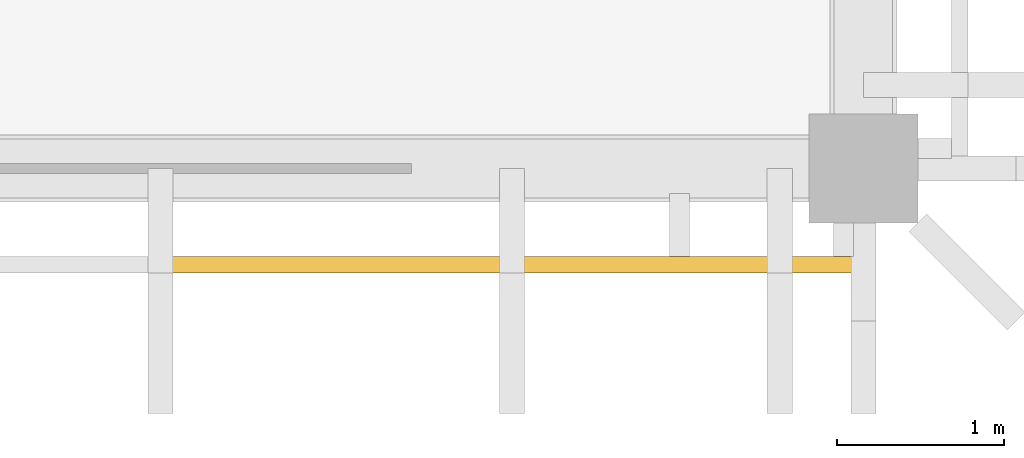
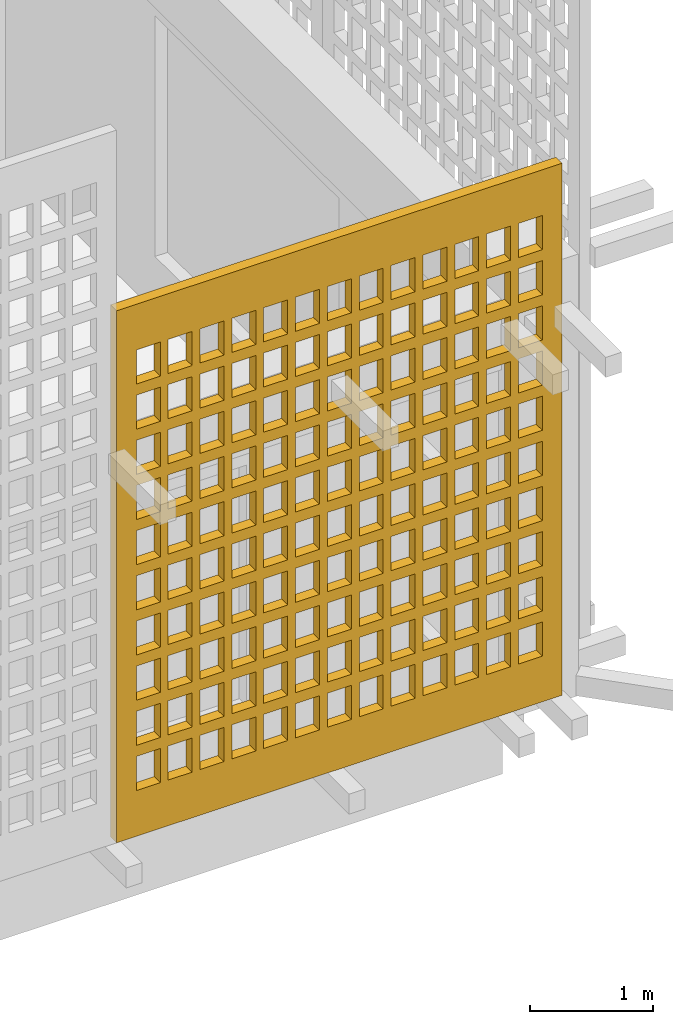
# One storey, part 12 of 23: 1 shading device, 1 opening.
"""IFC4 building model written with IfcOpenShell, lengths in metres."""

from ifc_helpers import new_model, si_unit, direction, frame, origin, origin_2d, place, context, subcontext, project, spatial, rectangle, extrude, material, layer, layer_set, type_object, element, save


model = new_model("IFC4")

# Units and contexts
model_context = context("Model", 3, precision=1e-05, world=origin(), true_north=direction((0.0, 1.0)))
body_context = subcontext(model_context, "Body", "Model", "MODEL_VIEW")
ifc_project = project(units=[si_unit("LENGTHUNIT", "METRE"), si_unit("AREAUNIT", "SQUARE_METRE"), si_unit("VOLUMEUNIT", "CUBIC_METRE"), si_unit("PLANEANGLEUNIT", "RADIAN"), si_unit("MASSUNIT", "GRAM", prefix="KILO")], contexts=[model_context])

# Site, building, storey
site_placement = place(None, origin())
site = spatial("IfcSite", under=ifc_project, at=site_placement, CompositionType="ELEMENT")
building_placement = place(site_placement, origin())
building = spatial("IfcBuilding", under=site, at=building_placement, Name="Rulbaag Community and Learning Centre", CompositionType="ELEMENT")
storey_placement = place(building_placement, frame((0.0, 0.0, 64.800048828125)))
storey = spatial("IfcBuildingStorey", under=building, at=storey_placement, Name="L17", CompositionType="ELEMENT", Elevation=64.800048828125)

# Shading device, opening
ifc_material = material(Name="Concrete M40", Category="concrete")
ifc_layer = layer(ifc_material, 0.10009765625)
ifc_layer_set = layer_set([ifc_layer], Name="JC-4")
shading_device_type = type_object("IfcShadingDeviceType", Name="JC-4", PredefinedType="SHUTTER", material=ifc_layer_set)
shading_device_placement = place(storey_placement, frame((165.89990234375, 83.425048828125, 0.0), z_axis=(0.0, 0.0, 1.0), x_axis=(1.0, 0.0, 0.0)))
shading_device = element("IfcShadingDevice", 1, at=shading_device_placement, inside=storey, type_object=shading_device_type, Name="Jaali lantern screen", PredefinedType="SHUTTER", context=body_context, shape_type="SweptSolid", body=[
    extrude(rectangle(XDim=4.199951171875, YDim=0.10009765625, at=origin_2d()), origin(), (0.0, 0.0, 1.0), 5.300048828125),
])
opening_placement = place(shading_device_placement, origin())
element("IfcOpeningElement", 2, at=opening_placement, cuts=shading_device, Name="Perforation JC4", PredefinedType="OPENING", context=body_context, shape_type="SweptSolid", body=[
    extrude(rectangle(XDim=0.22509765625, YDim=0.340087890625, at=origin_2d()), frame((-1.800048828125, -0.06005859375, 0.625), z_axis=(0.0, 1.0, 0.0), x_axis=(1.0, 0.0, 0.0)), (0.0, 0.0, 1.0), 0.1201171875),
    extrude(rectangle(XDim=0.22509765625, YDim=0.340087890625, at=origin_2d()), frame((-1.5, -0.06005859375, 0.625), z_axis=(0.0, 1.0, 0.0), x_axis=(1.0, 0.0, 0.0)), (0.0, 0.0, 1.0), 0.1201171875),
    extrude(rectangle(XDim=0.22509765625, YDim=0.340087890625, at=origin_2d()), frame((-1.199951171875, -0.06005859375, 0.625), z_axis=(0.0, 1.0, 0.0), x_axis=(1.0, 0.0, 0.0)), (0.0, 0.0, 1.0), 0.1201171875),
    extrude(rectangle(XDim=0.22509765625, YDim=0.340087890625, at=origin_2d()), frame((-0.89990234375, -0.06005859375, 0.625), z_axis=(0.0, 1.0, 0.0), x_axis=(1.0, 0.0, 0.0)), (0.0, 0.0, 1.0), 0.1201171875),
    extrude(rectangle(XDim=0.22509765625, YDim=0.340087890625, at=origin_2d()), frame((-0.60009765625, -0.06005859375, 0.625), z_axis=(0.0, 1.0, 0.0), x_axis=(1.0, 0.0, 0.0)), (0.0, 0.0, 1.0), 0.1201171875),
    extrude(rectangle(XDim=0.22509765625, YDim=0.340087890625, at=origin_2d()), frame((-0.300048828125, -0.06005859375, 0.625), z_axis=(0.0, 1.0, 0.0), x_axis=(1.0, 0.0, 0.0)), (0.0, 0.0, 1.0), 0.1201171875),
    extrude(rectangle(XDim=0.22509765625, YDim=0.340087890625, at=origin_2d()), frame((0.0, -0.06005859375, 0.625), z_axis=(0.0, 1.0, 0.0), x_axis=(1.0, 0.0, 0.0)), (0.0, 0.0, 1.0), 0.1201171875),
    extrude(rectangle(XDim=0.22509765625, YDim=0.340087890625, at=origin_2d()), frame((0.300048828125, -0.06005859375, 0.625), z_axis=(0.0, 1.0, 0.0), x_axis=(1.0, 0.0, 0.0)), (0.0, 0.0, 1.0), 0.1201171875),
    extrude(rectangle(XDim=0.22509765625, YDim=0.340087890625, at=origin_2d()), frame((0.60009765625, -0.06005859375, 0.625), z_axis=(0.0, 1.0, 0.0), x_axis=(1.0, 0.0, 0.0)), (0.0, 0.0, 1.0), 0.1201171875),
    extrude(rectangle(XDim=0.22509765625, YDim=0.340087890625, at=origin_2d()), frame((0.89990234375, -0.06005859375, 0.625), z_axis=(0.0, 1.0, 0.0), x_axis=(1.0, 0.0, 0.0)), (0.0, 0.0, 1.0), 0.1201171875),
    extrude(rectangle(XDim=0.22509765625, YDim=0.340087890625, at=origin_2d()), frame((1.199951171875, -0.06005859375, 0.625), z_axis=(0.0, 1.0, 0.0), x_axis=(1.0, 0.0, 0.0)), (0.0, 0.0, 1.0), 0.1201171875),
    extrude(rectangle(XDim=0.22509765625, YDim=0.340087890625, at=origin_2d()), frame((1.5, -0.06005859375, 0.625), z_axis=(0.0, 1.0, 0.0), x_axis=(1.0, 0.0, 0.0)), (0.0, 0.0, 1.0), 0.1201171875),
    extrude(rectangle(XDim=0.22509765625, YDim=0.340087890625, at=origin_2d()), frame((1.800048828125, -0.06005859375, 0.625), z_axis=(0.0, 1.0, 0.0), x_axis=(1.0, 0.0, 0.0)), (0.0, 0.0, 1.0), 0.1201171875),
    extrude(rectangle(XDim=0.22509765625, YDim=0.340087890625, at=origin_2d()), frame((-1.800048828125, -0.06005859375, 1.074951171875), z_axis=(0.0, 1.0, 0.0), x_axis=(1.0, 0.0, 0.0)), (0.0, 0.0, 1.0), 0.1201171875),
    extrude(rectangle(XDim=0.22509765625, YDim=0.340087890625, at=origin_2d()), frame((-1.5, -0.06005859375, 1.074951171875), z_axis=(0.0, 1.0, 0.0), x_axis=(1.0, 0.0, 0.0)), (0.0, 0.0, 1.0), 0.1201171875),
    extrude(rectangle(XDim=0.22509765625, YDim=0.340087890625, at=origin_2d()), frame((-1.199951171875, -0.06005859375, 1.074951171875), z_axis=(0.0, 1.0, 0.0), x_axis=(1.0, 0.0, 0.0)), (0.0, 0.0, 1.0), 0.1201171875),
    extrude(rectangle(XDim=0.22509765625, YDim=0.340087890625, at=origin_2d()), frame((-0.89990234375, -0.06005859375, 1.074951171875), z_axis=(0.0, 1.0, 0.0), x_axis=(1.0, 0.0, 0.0)), (0.0, 0.0, 1.0), 0.1201171875),
    extrude(rectangle(XDim=0.22509765625, YDim=0.340087890625, at=origin_2d()), frame((-0.60009765625, -0.06005859375, 1.074951171875), z_axis=(0.0, 1.0, 0.0), x_axis=(1.0, 0.0, 0.0)), (0.0, 0.0, 1.0), 0.1201171875),
    extrude(rectangle(XDim=0.22509765625, YDim=0.340087890625, at=origin_2d()), frame((-0.300048828125, -0.06005859375, 1.074951171875), z_axis=(0.0, 1.0, 0.0), x_axis=(1.0, 0.0, 0.0)), (0.0, 0.0, 1.0), 0.1201171875),
    extrude(rectangle(XDim=0.22509765625, YDim=0.340087890625, at=origin_2d()), frame((0.0, -0.06005859375, 1.074951171875), z_axis=(0.0, 1.0, 0.0), x_axis=(1.0, 0.0, 0.0)), (0.0, 0.0, 1.0), 0.1201171875),
    extrude(rectangle(XDim=0.22509765625, YDim=0.340087890625, at=origin_2d()), frame((0.300048828125, -0.06005859375, 1.074951171875), z_axis=(0.0, 1.0, 0.0), x_axis=(1.0, 0.0, 0.0)), (0.0, 0.0, 1.0), 0.1201171875),
    extrude(rectangle(XDim=0.22509765625, YDim=0.340087890625, at=origin_2d()), frame((0.60009765625, -0.06005859375, 1.074951171875), z_axis=(0.0, 1.0, 0.0), x_axis=(1.0, 0.0, 0.0)), (0.0, 0.0, 1.0), 0.1201171875),
    extrude(rectangle(XDim=0.22509765625, YDim=0.340087890625, at=origin_2d()), frame((0.89990234375, -0.06005859375, 1.074951171875), z_axis=(0.0, 1.0, 0.0), x_axis=(1.0, 0.0, 0.0)), (0.0, 0.0, 1.0), 0.1201171875),
    extrude(rectangle(XDim=0.22509765625, YDim=0.340087890625, at=origin_2d()), frame((1.199951171875, -0.06005859375, 1.074951171875), z_axis=(0.0, 1.0, 0.0), x_axis=(1.0, 0.0, 0.0)), (0.0, 0.0, 1.0), 0.1201171875),
    extrude(rectangle(XDim=0.22509765625, YDim=0.340087890625, at=origin_2d()), frame((1.5, -0.06005859375, 1.074951171875), z_axis=(0.0, 1.0, 0.0), x_axis=(1.0, 0.0, 0.0)), (0.0, 0.0, 1.0), 0.1201171875),
    extrude(rectangle(XDim=0.22509765625, YDim=0.340087890625, at=origin_2d()), frame((1.800048828125, -0.06005859375, 1.074951171875), z_axis=(0.0, 1.0, 0.0), x_axis=(1.0, 0.0, 0.0)), (0.0, 0.0, 1.0), 0.1201171875),
    extrude(rectangle(XDim=0.22509765625, YDim=0.340087890625, at=origin_2d()), frame((-1.800048828125, -0.06005859375, 1.52490234375), z_axis=(0.0, 1.0, 0.0), x_axis=(1.0, 0.0, 0.0)), (0.0, 0.0, 1.0), 0.1201171875),
    extrude(rectangle(XDim=0.22509765625, YDim=0.340087890625, at=origin_2d()), frame((-1.5, -0.06005859375, 1.52490234375), z_axis=(0.0, 1.0, 0.0), x_axis=(1.0, 0.0, 0.0)), (0.0, 0.0, 1.0), 0.1201171875),
    extrude(rectangle(XDim=0.22509765625, YDim=0.340087890625, at=origin_2d()), frame((-1.199951171875, -0.06005859375, 1.52490234375), z_axis=(0.0, 1.0, 0.0), x_axis=(1.0, 0.0, 0.0)), (0.0, 0.0, 1.0), 0.1201171875),
    extrude(rectangle(XDim=0.22509765625, YDim=0.340087890625, at=origin_2d()), frame((-0.89990234375, -0.06005859375, 1.52490234375), z_axis=(0.0, 1.0, 0.0), x_axis=(1.0, 0.0, 0.0)), (0.0, 0.0, 1.0), 0.1201171875),
    extrude(rectangle(XDim=0.22509765625, YDim=0.340087890625, at=origin_2d()), frame((-0.60009765625, -0.06005859375, 1.52490234375), z_axis=(0.0, 1.0, 0.0), x_axis=(1.0, 0.0, 0.0)), (0.0, 0.0, 1.0), 0.1201171875),
    extrude(rectangle(XDim=0.22509765625, YDim=0.340087890625, at=origin_2d()), frame((-0.300048828125, -0.06005859375, 1.52490234375), z_axis=(0.0, 1.0, 0.0), x_axis=(1.0, 0.0, 0.0)), (0.0, 0.0, 1.0), 0.1201171875),
    extrude(rectangle(XDim=0.22509765625, YDim=0.340087890625, at=origin_2d()), frame((0.0, -0.06005859375, 1.52490234375), z_axis=(0.0, 1.0, 0.0), x_axis=(1.0, 0.0, 0.0)), (0.0, 0.0, 1.0), 0.1201171875),
    extrude(rectangle(XDim=0.22509765625, YDim=0.340087890625, at=origin_2d()), frame((0.300048828125, -0.06005859375, 1.52490234375), z_axis=(0.0, 1.0, 0.0), x_axis=(1.0, 0.0, 0.0)), (0.0, 0.0, 1.0), 0.1201171875),
    extrude(rectangle(XDim=0.22509765625, YDim=0.340087890625, at=origin_2d()), frame((0.60009765625, -0.06005859375, 1.52490234375), z_axis=(0.0, 1.0, 0.0), x_axis=(1.0, 0.0, 0.0)), (0.0, 0.0, 1.0), 0.1201171875),
    extrude(rectangle(XDim=0.22509765625, YDim=0.340087890625, at=origin_2d()), frame((0.89990234375, -0.06005859375, 1.52490234375), z_axis=(0.0, 1.0, 0.0), x_axis=(1.0, 0.0, 0.0)), (0.0, 0.0, 1.0), 0.1201171875),
    extrude(rectangle(XDim=0.22509765625, YDim=0.340087890625, at=origin_2d()), frame((1.199951171875, -0.06005859375, 1.52490234375), z_axis=(0.0, 1.0, 0.0), x_axis=(1.0, 0.0, 0.0)), (0.0, 0.0, 1.0), 0.1201171875),
    extrude(rectangle(XDim=0.22509765625, YDim=0.340087890625, at=origin_2d()), frame((1.5, -0.06005859375, 1.52490234375), z_axis=(0.0, 1.0, 0.0), x_axis=(1.0, 0.0, 0.0)), (0.0, 0.0, 1.0), 0.1201171875),
    extrude(rectangle(XDim=0.22509765625, YDim=0.340087890625, at=origin_2d()), frame((1.800048828125, -0.06005859375, 1.52490234375), z_axis=(0.0, 1.0, 0.0), x_axis=(1.0, 0.0, 0.0)), (0.0, 0.0, 1.0), 0.1201171875),
    extrude(rectangle(XDim=0.22509765625, YDim=0.340087890625, at=origin_2d()), frame((-1.800048828125, -0.06005859375, 1.97509765625), z_axis=(0.0, 1.0, 0.0), x_axis=(1.0, 0.0, 0.0)), (0.0, 0.0, 1.0), 0.1201171875),
    extrude(rectangle(XDim=0.22509765625, YDim=0.340087890625, at=origin_2d()), frame((-1.5, -0.06005859375, 1.97509765625), z_axis=(0.0, 1.0, 0.0), x_axis=(1.0, 0.0, 0.0)), (0.0, 0.0, 1.0), 0.1201171875),
    extrude(rectangle(XDim=0.22509765625, YDim=0.340087890625, at=origin_2d()), frame((-1.199951171875, -0.06005859375, 1.97509765625), z_axis=(0.0, 1.0, 0.0), x_axis=(1.0, 0.0, 0.0)), (0.0, 0.0, 1.0), 0.1201171875),
    extrude(rectangle(XDim=0.22509765625, YDim=0.340087890625, at=origin_2d()), frame((-0.89990234375, -0.06005859375, 1.97509765625), z_axis=(0.0, 1.0, 0.0), x_axis=(1.0, 0.0, 0.0)), (0.0, 0.0, 1.0), 0.1201171875),
    extrude(rectangle(XDim=0.22509765625, YDim=0.340087890625, at=origin_2d()), frame((-0.60009765625, -0.06005859375, 1.97509765625), z_axis=(0.0, 1.0, 0.0), x_axis=(1.0, 0.0, 0.0)), (0.0, 0.0, 1.0), 0.1201171875),
    extrude(rectangle(XDim=0.22509765625, YDim=0.340087890625, at=origin_2d()), frame((-0.300048828125, -0.06005859375, 1.97509765625), z_axis=(0.0, 1.0, 0.0), x_axis=(1.0, 0.0, 0.0)), (0.0, 0.0, 1.0), 0.1201171875),
    extrude(rectangle(XDim=0.22509765625, YDim=0.340087890625, at=origin_2d()), frame((0.0, -0.06005859375, 1.97509765625), z_axis=(0.0, 1.0, 0.0), x_axis=(1.0, 0.0, 0.0)), (0.0, 0.0, 1.0), 0.1201171875),
    extrude(rectangle(XDim=0.22509765625, YDim=0.340087890625, at=origin_2d()), frame((0.300048828125, -0.06005859375, 1.97509765625), z_axis=(0.0, 1.0, 0.0), x_axis=(1.0, 0.0, 0.0)), (0.0, 0.0, 1.0), 0.1201171875),
    extrude(rectangle(XDim=0.22509765625, YDim=0.340087890625, at=origin_2d()), frame((0.60009765625, -0.06005859375, 1.97509765625), z_axis=(0.0, 1.0, 0.0), x_axis=(1.0, 0.0, 0.0)), (0.0, 0.0, 1.0), 0.1201171875),
    extrude(rectangle(XDim=0.22509765625, YDim=0.340087890625, at=origin_2d()), frame((0.89990234375, -0.06005859375, 1.97509765625), z_axis=(0.0, 1.0, 0.0), x_axis=(1.0, 0.0, 0.0)), (0.0, 0.0, 1.0), 0.1201171875),
    extrude(rectangle(XDim=0.22509765625, YDim=0.340087890625, at=origin_2d()), frame((1.199951171875, -0.06005859375, 1.97509765625), z_axis=(0.0, 1.0, 0.0), x_axis=(1.0, 0.0, 0.0)), (0.0, 0.0, 1.0), 0.1201171875),
    extrude(rectangle(XDim=0.22509765625, YDim=0.340087890625, at=origin_2d()), frame((1.5, -0.06005859375, 1.97509765625), z_axis=(0.0, 1.0, 0.0), x_axis=(1.0, 0.0, 0.0)), (0.0, 0.0, 1.0), 0.1201171875),
    extrude(rectangle(XDim=0.22509765625, YDim=0.340087890625, at=origin_2d()), frame((1.800048828125, -0.06005859375, 1.97509765625), z_axis=(0.0, 1.0, 0.0), x_axis=(1.0, 0.0, 0.0)), (0.0, 0.0, 1.0), 0.1201171875),
    extrude(rectangle(XDim=0.22509765625, YDim=0.340087890625, at=origin_2d()), frame((-1.800048828125, -0.06005859375, 2.425048828125), z_axis=(0.0, 1.0, 0.0), x_axis=(1.0, 0.0, 0.0)), (0.0, 0.0, 1.0), 0.1201171875),
    extrude(rectangle(XDim=0.22509765625, YDim=0.340087890625, at=origin_2d()), frame((-1.5, -0.06005859375, 2.425048828125), z_axis=(0.0, 1.0, 0.0), x_axis=(1.0, 0.0, 0.0)), (0.0, 0.0, 1.0), 0.1201171875),
    extrude(rectangle(XDim=0.22509765625, YDim=0.340087890625, at=origin_2d()), frame((-1.199951171875, -0.06005859375, 2.425048828125), z_axis=(0.0, 1.0, 0.0), x_axis=(1.0, 0.0, 0.0)), (0.0, 0.0, 1.0), 0.1201171875),
    extrude(rectangle(XDim=0.22509765625, YDim=0.340087890625, at=origin_2d()), frame((-0.89990234375, -0.06005859375, 2.425048828125), z_axis=(0.0, 1.0, 0.0), x_axis=(1.0, 0.0, 0.0)), (0.0, 0.0, 1.0), 0.1201171875),
    extrude(rectangle(XDim=0.22509765625, YDim=0.340087890625, at=origin_2d()), frame((-0.60009765625, -0.06005859375, 2.425048828125), z_axis=(0.0, 1.0, 0.0), x_axis=(1.0, 0.0, 0.0)), (0.0, 0.0, 1.0), 0.1201171875),
    extrude(rectangle(XDim=0.22509765625, YDim=0.340087890625, at=origin_2d()), frame((-0.300048828125, -0.06005859375, 2.425048828125), z_axis=(0.0, 1.0, 0.0), x_axis=(1.0, 0.0, 0.0)), (0.0, 0.0, 1.0), 0.1201171875),
    extrude(rectangle(XDim=0.22509765625, YDim=0.340087890625, at=origin_2d()), frame((0.0, -0.06005859375, 2.425048828125), z_axis=(0.0, 1.0, 0.0), x_axis=(1.0, 0.0, 0.0)), (0.0, 0.0, 1.0), 0.1201171875),
    extrude(rectangle(XDim=0.22509765625, YDim=0.340087890625, at=origin_2d()), frame((0.300048828125, -0.06005859375, 2.425048828125), z_axis=(0.0, 1.0, 0.0), x_axis=(1.0, 0.0, 0.0)), (0.0, 0.0, 1.0), 0.1201171875),
    extrude(rectangle(XDim=0.22509765625, YDim=0.340087890625, at=origin_2d()), frame((0.60009765625, -0.06005859375, 2.425048828125), z_axis=(0.0, 1.0, 0.0), x_axis=(1.0, 0.0, 0.0)), (0.0, 0.0, 1.0), 0.1201171875),
    extrude(rectangle(XDim=0.22509765625, YDim=0.340087890625, at=origin_2d()), frame((0.89990234375, -0.06005859375, 2.425048828125), z_axis=(0.0, 1.0, 0.0), x_axis=(1.0, 0.0, 0.0)), (0.0, 0.0, 1.0), 0.1201171875),
    extrude(rectangle(XDim=0.22509765625, YDim=0.340087890625, at=origin_2d()), frame((1.199951171875, -0.06005859375, 2.425048828125), z_axis=(0.0, 1.0, 0.0), x_axis=(1.0, 0.0, 0.0)), (0.0, 0.0, 1.0), 0.1201171875),
    extrude(rectangle(XDim=0.22509765625, YDim=0.340087890625, at=origin_2d()), frame((1.5, -0.06005859375, 2.425048828125), z_axis=(0.0, 1.0, 0.0), x_axis=(1.0, 0.0, 0.0)), (0.0, 0.0, 1.0), 0.1201171875),
    extrude(rectangle(XDim=0.22509765625, YDim=0.340087890625, at=origin_2d()), frame((1.800048828125, -0.06005859375, 2.425048828125), z_axis=(0.0, 1.0, 0.0), x_axis=(1.0, 0.0, 0.0)), (0.0, 0.0, 1.0), 0.1201171875),
    extrude(rectangle(XDim=0.22509765625, YDim=0.340087890625, at=origin_2d()), frame((-1.800048828125, -0.06005859375, 2.875), z_axis=(0.0, 1.0, 0.0), x_axis=(1.0, 0.0, 0.0)), (0.0, 0.0, 1.0), 0.1201171875),
    extrude(rectangle(XDim=0.22509765625, YDim=0.340087890625, at=origin_2d()), frame((-1.5, -0.06005859375, 2.875), z_axis=(0.0, 1.0, 0.0), x_axis=(1.0, 0.0, 0.0)), (0.0, 0.0, 1.0), 0.1201171875),
    extrude(rectangle(XDim=0.22509765625, YDim=0.340087890625, at=origin_2d()), frame((-1.199951171875, -0.06005859375, 2.875), z_axis=(0.0, 1.0, 0.0), x_axis=(1.0, 0.0, 0.0)), (0.0, 0.0, 1.0), 0.1201171875),
    extrude(rectangle(XDim=0.22509765625, YDim=0.340087890625, at=origin_2d()), frame((-0.89990234375, -0.06005859375, 2.875), z_axis=(0.0, 1.0, 0.0), x_axis=(1.0, 0.0, 0.0)), (0.0, 0.0, 1.0), 0.1201171875),
    extrude(rectangle(XDim=0.22509765625, YDim=0.340087890625, at=origin_2d()), frame((-0.60009765625, -0.06005859375, 2.875), z_axis=(0.0, 1.0, 0.0), x_axis=(1.0, 0.0, 0.0)), (0.0, 0.0, 1.0), 0.1201171875),
    extrude(rectangle(XDim=0.22509765625, YDim=0.340087890625, at=origin_2d()), frame((-0.300048828125, -0.06005859375, 2.875), z_axis=(0.0, 1.0, 0.0), x_axis=(1.0, 0.0, 0.0)), (0.0, 0.0, 1.0), 0.1201171875),
    extrude(rectangle(XDim=0.22509765625, YDim=0.340087890625, at=origin_2d()), frame((0.0, -0.06005859375, 2.875), z_axis=(0.0, 1.0, 0.0), x_axis=(1.0, 0.0, 0.0)), (0.0, 0.0, 1.0), 0.1201171875),
    extrude(rectangle(XDim=0.22509765625, YDim=0.340087890625, at=origin_2d()), frame((0.300048828125, -0.06005859375, 2.875), z_axis=(0.0, 1.0, 0.0), x_axis=(1.0, 0.0, 0.0)), (0.0, 0.0, 1.0), 0.1201171875),
    extrude(rectangle(XDim=0.22509765625, YDim=0.340087890625, at=origin_2d()), frame((0.60009765625, -0.06005859375, 2.875), z_axis=(0.0, 1.0, 0.0), x_axis=(1.0, 0.0, 0.0)), (0.0, 0.0, 1.0), 0.1201171875),
    extrude(rectangle(XDim=0.22509765625, YDim=0.340087890625, at=origin_2d()), frame((0.89990234375, -0.06005859375, 2.875), z_axis=(0.0, 1.0, 0.0), x_axis=(1.0, 0.0, 0.0)), (0.0, 0.0, 1.0), 0.1201171875),
    extrude(rectangle(XDim=0.22509765625, YDim=0.340087890625, at=origin_2d()), frame((1.199951171875, -0.06005859375, 2.875), z_axis=(0.0, 1.0, 0.0), x_axis=(1.0, 0.0, 0.0)), (0.0, 0.0, 1.0), 0.1201171875),
    extrude(rectangle(XDim=0.22509765625, YDim=0.340087890625, at=origin_2d()), frame((1.5, -0.06005859375, 2.875), z_axis=(0.0, 1.0, 0.0), x_axis=(1.0, 0.0, 0.0)), (0.0, 0.0, 1.0), 0.1201171875),
    extrude(rectangle(XDim=0.22509765625, YDim=0.340087890625, at=origin_2d()), frame((1.800048828125, -0.06005859375, 2.875), z_axis=(0.0, 1.0, 0.0), x_axis=(1.0, 0.0, 0.0)), (0.0, 0.0, 1.0), 0.1201171875),
    extrude(rectangle(XDim=0.22509765625, YDim=0.340087890625, at=origin_2d()), frame((-1.800048828125, -0.06005859375, 3.324951171875), z_axis=(0.0, 1.0, 0.0), x_axis=(1.0, 0.0, 0.0)), (0.0, 0.0, 1.0), 0.1201171875),
    extrude(rectangle(XDim=0.22509765625, YDim=0.340087890625, at=origin_2d()), frame((-1.5, -0.06005859375, 3.324951171875), z_axis=(0.0, 1.0, 0.0), x_axis=(1.0, 0.0, 0.0)), (0.0, 0.0, 1.0), 0.1201171875),
    extrude(rectangle(XDim=0.22509765625, YDim=0.340087890625, at=origin_2d()), frame((-1.199951171875, -0.06005859375, 3.324951171875), z_axis=(0.0, 1.0, 0.0), x_axis=(1.0, 0.0, 0.0)), (0.0, 0.0, 1.0), 0.1201171875),
    extrude(rectangle(XDim=0.22509765625, YDim=0.340087890625, at=origin_2d()), frame((-0.89990234375, -0.06005859375, 3.324951171875), z_axis=(0.0, 1.0, 0.0), x_axis=(1.0, 0.0, 0.0)), (0.0, 0.0, 1.0), 0.1201171875),
    extrude(rectangle(XDim=0.22509765625, YDim=0.340087890625, at=origin_2d()), frame((-0.60009765625, -0.06005859375, 3.324951171875), z_axis=(0.0, 1.0, 0.0), x_axis=(1.0, 0.0, 0.0)), (0.0, 0.0, 1.0), 0.1201171875),
    extrude(rectangle(XDim=0.22509765625, YDim=0.340087890625, at=origin_2d()), frame((-0.300048828125, -0.06005859375, 3.324951171875), z_axis=(0.0, 1.0, 0.0), x_axis=(1.0, 0.0, 0.0)), (0.0, 0.0, 1.0), 0.1201171875),
    extrude(rectangle(XDim=0.22509765625, YDim=0.340087890625, at=origin_2d()), frame((0.0, -0.06005859375, 3.324951171875), z_axis=(0.0, 1.0, 0.0), x_axis=(1.0, 0.0, 0.0)), (0.0, 0.0, 1.0), 0.1201171875),
    extrude(rectangle(XDim=0.22509765625, YDim=0.340087890625, at=origin_2d()), frame((0.300048828125, -0.06005859375, 3.324951171875), z_axis=(0.0, 1.0, 0.0), x_axis=(1.0, 0.0, 0.0)), (0.0, 0.0, 1.0), 0.1201171875),
    extrude(rectangle(XDim=0.22509765625, YDim=0.340087890625, at=origin_2d()), frame((0.60009765625, -0.06005859375, 3.324951171875), z_axis=(0.0, 1.0, 0.0), x_axis=(1.0, 0.0, 0.0)), (0.0, 0.0, 1.0), 0.1201171875),
    extrude(rectangle(XDim=0.22509765625, YDim=0.340087890625, at=origin_2d()), frame((0.89990234375, -0.06005859375, 3.324951171875), z_axis=(0.0, 1.0, 0.0), x_axis=(1.0, 0.0, 0.0)), (0.0, 0.0, 1.0), 0.1201171875),
    extrude(rectangle(XDim=0.22509765625, YDim=0.340087890625, at=origin_2d()), frame((1.199951171875, -0.06005859375, 3.324951171875), z_axis=(0.0, 1.0, 0.0), x_axis=(1.0, 0.0, 0.0)), (0.0, 0.0, 1.0), 0.1201171875),
    extrude(rectangle(XDim=0.22509765625, YDim=0.340087890625, at=origin_2d()), frame((1.5, -0.06005859375, 3.324951171875), z_axis=(0.0, 1.0, 0.0), x_axis=(1.0, 0.0, 0.0)), (0.0, 0.0, 1.0), 0.1201171875),
    extrude(rectangle(XDim=0.22509765625, YDim=0.340087890625, at=origin_2d()), frame((1.800048828125, -0.06005859375, 3.324951171875), z_axis=(0.0, 1.0, 0.0), x_axis=(1.0, 0.0, 0.0)), (0.0, 0.0, 1.0), 0.1201171875),
    extrude(rectangle(XDim=0.22509765625, YDim=0.340087890625, at=origin_2d()), frame((-1.800048828125, -0.06005859375, 3.77490234375), z_axis=(0.0, 1.0, 0.0), x_axis=(1.0, 0.0, 0.0)), (0.0, 0.0, 1.0), 0.1201171875),
    extrude(rectangle(XDim=0.22509765625, YDim=0.340087890625, at=origin_2d()), frame((-1.5, -0.06005859375, 3.77490234375), z_axis=(0.0, 1.0, 0.0), x_axis=(1.0, 0.0, 0.0)), (0.0, 0.0, 1.0), 0.1201171875),
    extrude(rectangle(XDim=0.22509765625, YDim=0.340087890625, at=origin_2d()), frame((-1.199951171875, -0.06005859375, 3.77490234375), z_axis=(0.0, 1.0, 0.0), x_axis=(1.0, 0.0, 0.0)), (0.0, 0.0, 1.0), 0.1201171875),
    extrude(rectangle(XDim=0.22509765625, YDim=0.340087890625, at=origin_2d()), frame((-0.89990234375, -0.06005859375, 3.77490234375), z_axis=(0.0, 1.0, 0.0), x_axis=(1.0, 0.0, 0.0)), (0.0, 0.0, 1.0), 0.1201171875),
    extrude(rectangle(XDim=0.22509765625, YDim=0.340087890625, at=origin_2d()), frame((-0.60009765625, -0.06005859375, 3.77490234375), z_axis=(0.0, 1.0, 0.0), x_axis=(1.0, 0.0, 0.0)), (0.0, 0.0, 1.0), 0.1201171875),
    extrude(rectangle(XDim=0.22509765625, YDim=0.340087890625, at=origin_2d()), frame((-0.300048828125, -0.06005859375, 3.77490234375), z_axis=(0.0, 1.0, 0.0), x_axis=(1.0, 0.0, 0.0)), (0.0, 0.0, 1.0), 0.1201171875),
    extrude(rectangle(XDim=0.22509765625, YDim=0.340087890625, at=origin_2d()), frame((0.0, -0.06005859375, 3.77490234375), z_axis=(0.0, 1.0, 0.0), x_axis=(1.0, 0.0, 0.0)), (0.0, 0.0, 1.0), 0.1201171875),
    extrude(rectangle(XDim=0.22509765625, YDim=0.340087890625, at=origin_2d()), frame((0.300048828125, -0.06005859375, 3.77490234375), z_axis=(0.0, 1.0, 0.0), x_axis=(1.0, 0.0, 0.0)), (0.0, 0.0, 1.0), 0.1201171875),
    extrude(rectangle(XDim=0.22509765625, YDim=0.340087890625, at=origin_2d()), frame((0.60009765625, -0.06005859375, 3.77490234375), z_axis=(0.0, 1.0, 0.0), x_axis=(1.0, 0.0, 0.0)), (0.0, 0.0, 1.0), 0.1201171875),
    extrude(rectangle(XDim=0.22509765625, YDim=0.340087890625, at=origin_2d()), frame((0.89990234375, -0.06005859375, 3.77490234375), z_axis=(0.0, 1.0, 0.0), x_axis=(1.0, 0.0, 0.0)), (0.0, 0.0, 1.0), 0.1201171875),
    extrude(rectangle(XDim=0.22509765625, YDim=0.340087890625, at=origin_2d()), frame((1.199951171875, -0.06005859375, 3.77490234375), z_axis=(0.0, 1.0, 0.0), x_axis=(1.0, 0.0, 0.0)), (0.0, 0.0, 1.0), 0.1201171875),
    extrude(rectangle(XDim=0.22509765625, YDim=0.340087890625, at=origin_2d()), frame((1.5, -0.06005859375, 3.77490234375), z_axis=(0.0, 1.0, 0.0), x_axis=(1.0, 0.0, 0.0)), (0.0, 0.0, 1.0), 0.1201171875),
    extrude(rectangle(XDim=0.22509765625, YDim=0.340087890625, at=origin_2d()), frame((1.800048828125, -0.06005859375, 3.77490234375), z_axis=(0.0, 1.0, 0.0), x_axis=(1.0, 0.0, 0.0)), (0.0, 0.0, 1.0), 0.1201171875),
    extrude(rectangle(XDim=0.22509765625, YDim=0.340087890625, at=origin_2d()), frame((-1.800048828125, -0.06005859375, 4.22509765625), z_axis=(0.0, 1.0, 0.0), x_axis=(1.0, 0.0, 0.0)), (0.0, 0.0, 1.0), 0.1201171875),
    extrude(rectangle(XDim=0.22509765625, YDim=0.340087890625, at=origin_2d()), frame((-1.5, -0.06005859375, 4.22509765625), z_axis=(0.0, 1.0, 0.0), x_axis=(1.0, 0.0, 0.0)), (0.0, 0.0, 1.0), 0.1201171875),
    extrude(rectangle(XDim=0.22509765625, YDim=0.340087890625, at=origin_2d()), frame((-1.199951171875, -0.06005859375, 4.22509765625), z_axis=(0.0, 1.0, 0.0), x_axis=(1.0, 0.0, 0.0)), (0.0, 0.0, 1.0), 0.1201171875),
    extrude(rectangle(XDim=0.22509765625, YDim=0.340087890625, at=origin_2d()), frame((-0.89990234375, -0.06005859375, 4.22509765625), z_axis=(0.0, 1.0, 0.0), x_axis=(1.0, 0.0, 0.0)), (0.0, 0.0, 1.0), 0.1201171875),
    extrude(rectangle(XDim=0.22509765625, YDim=0.340087890625, at=origin_2d()), frame((-0.60009765625, -0.06005859375, 4.22509765625), z_axis=(0.0, 1.0, 0.0), x_axis=(1.0, 0.0, 0.0)), (0.0, 0.0, 1.0), 0.1201171875),
    extrude(rectangle(XDim=0.22509765625, YDim=0.340087890625, at=origin_2d()), frame((-0.300048828125, -0.06005859375, 4.22509765625), z_axis=(0.0, 1.0, 0.0), x_axis=(1.0, 0.0, 0.0)), (0.0, 0.0, 1.0), 0.1201171875),
    extrude(rectangle(XDim=0.22509765625, YDim=0.340087890625, at=origin_2d()), frame((0.0, -0.06005859375, 4.22509765625), z_axis=(0.0, 1.0, 0.0), x_axis=(1.0, 0.0, 0.0)), (0.0, 0.0, 1.0), 0.1201171875),
    extrude(rectangle(XDim=0.22509765625, YDim=0.340087890625, at=origin_2d()), frame((0.300048828125, -0.06005859375, 4.22509765625), z_axis=(0.0, 1.0, 0.0), x_axis=(1.0, 0.0, 0.0)), (0.0, 0.0, 1.0), 0.1201171875),
    extrude(rectangle(XDim=0.22509765625, YDim=0.340087890625, at=origin_2d()), frame((0.60009765625, -0.06005859375, 4.22509765625), z_axis=(0.0, 1.0, 0.0), x_axis=(1.0, 0.0, 0.0)), (0.0, 0.0, 1.0), 0.1201171875),
    extrude(rectangle(XDim=0.22509765625, YDim=0.340087890625, at=origin_2d()), frame((0.89990234375, -0.06005859375, 4.22509765625), z_axis=(0.0, 1.0, 0.0), x_axis=(1.0, 0.0, 0.0)), (0.0, 0.0, 1.0), 0.1201171875),
    extrude(rectangle(XDim=0.22509765625, YDim=0.340087890625, at=origin_2d()), frame((1.199951171875, -0.06005859375, 4.22509765625), z_axis=(0.0, 1.0, 0.0), x_axis=(1.0, 0.0, 0.0)), (0.0, 0.0, 1.0), 0.1201171875),
    extrude(rectangle(XDim=0.22509765625, YDim=0.340087890625, at=origin_2d()), frame((1.5, -0.06005859375, 4.22509765625), z_axis=(0.0, 1.0, 0.0), x_axis=(1.0, 0.0, 0.0)), (0.0, 0.0, 1.0), 0.1201171875),
    extrude(rectangle(XDim=0.22509765625, YDim=0.340087890625, at=origin_2d()), frame((1.800048828125, -0.06005859375, 4.22509765625), z_axis=(0.0, 1.0, 0.0), x_axis=(1.0, 0.0, 0.0)), (0.0, 0.0, 1.0), 0.1201171875),
    extrude(rectangle(XDim=0.22509765625, YDim=0.340087890625, at=origin_2d()), frame((-1.800048828125, -0.06005859375, 4.675048828125), z_axis=(0.0, 1.0, 0.0), x_axis=(1.0, 0.0, 0.0)), (0.0, 0.0, 1.0), 0.1201171875),
    extrude(rectangle(XDim=0.22509765625, YDim=0.340087890625, at=origin_2d()), frame((-1.5, -0.06005859375, 4.675048828125), z_axis=(0.0, 1.0, 0.0), x_axis=(1.0, 0.0, 0.0)), (0.0, 0.0, 1.0), 0.1201171875),
    extrude(rectangle(XDim=0.22509765625, YDim=0.340087890625, at=origin_2d()), frame((-1.199951171875, -0.06005859375, 4.675048828125), z_axis=(0.0, 1.0, 0.0), x_axis=(1.0, 0.0, 0.0)), (0.0, 0.0, 1.0), 0.1201171875),
    extrude(rectangle(XDim=0.22509765625, YDim=0.340087890625, at=origin_2d()), frame((-0.89990234375, -0.06005859375, 4.675048828125), z_axis=(0.0, 1.0, 0.0), x_axis=(1.0, 0.0, 0.0)), (0.0, 0.0, 1.0), 0.1201171875),
    extrude(rectangle(XDim=0.22509765625, YDim=0.340087890625, at=origin_2d()), frame((-0.60009765625, -0.06005859375, 4.675048828125), z_axis=(0.0, 1.0, 0.0), x_axis=(1.0, 0.0, 0.0)), (0.0, 0.0, 1.0), 0.1201171875),
    extrude(rectangle(XDim=0.22509765625, YDim=0.340087890625, at=origin_2d()), frame((-0.300048828125, -0.06005859375, 4.675048828125), z_axis=(0.0, 1.0, 0.0), x_axis=(1.0, 0.0, 0.0)), (0.0, 0.0, 1.0), 0.1201171875),
    extrude(rectangle(XDim=0.22509765625, YDim=0.340087890625, at=origin_2d()), frame((0.0, -0.06005859375, 4.675048828125), z_axis=(0.0, 1.0, 0.0), x_axis=(1.0, 0.0, 0.0)), (0.0, 0.0, 1.0), 0.1201171875),
    extrude(rectangle(XDim=0.22509765625, YDim=0.340087890625, at=origin_2d()), frame((0.300048828125, -0.06005859375, 4.675048828125), z_axis=(0.0, 1.0, 0.0), x_axis=(1.0, 0.0, 0.0)), (0.0, 0.0, 1.0), 0.1201171875),
    extrude(rectangle(XDim=0.22509765625, YDim=0.340087890625, at=origin_2d()), frame((0.60009765625, -0.06005859375, 4.675048828125), z_axis=(0.0, 1.0, 0.0), x_axis=(1.0, 0.0, 0.0)), (0.0, 0.0, 1.0), 0.1201171875),
    extrude(rectangle(XDim=0.22509765625, YDim=0.340087890625, at=origin_2d()), frame((0.89990234375, -0.06005859375, 4.675048828125), z_axis=(0.0, 1.0, 0.0), x_axis=(1.0, 0.0, 0.0)), (0.0, 0.0, 1.0), 0.1201171875),
    extrude(rectangle(XDim=0.22509765625, YDim=0.340087890625, at=origin_2d()), frame((1.199951171875, -0.06005859375, 4.675048828125), z_axis=(0.0, 1.0, 0.0), x_axis=(1.0, 0.0, 0.0)), (0.0, 0.0, 1.0), 0.1201171875),
    extrude(rectangle(XDim=0.22509765625, YDim=0.340087890625, at=origin_2d()), frame((1.5, -0.06005859375, 4.675048828125), z_axis=(0.0, 1.0, 0.0), x_axis=(1.0, 0.0, 0.0)), (0.0, 0.0, 1.0), 0.1201171875),
    extrude(rectangle(XDim=0.22509765625, YDim=0.340087890625, at=origin_2d()), frame((1.800048828125, -0.06005859375, 4.675048828125), z_axis=(0.0, 1.0, 0.0), x_axis=(1.0, 0.0, 0.0)), (0.0, 0.0, 1.0), 0.1201171875),
])

save(model, "model.ifc")
